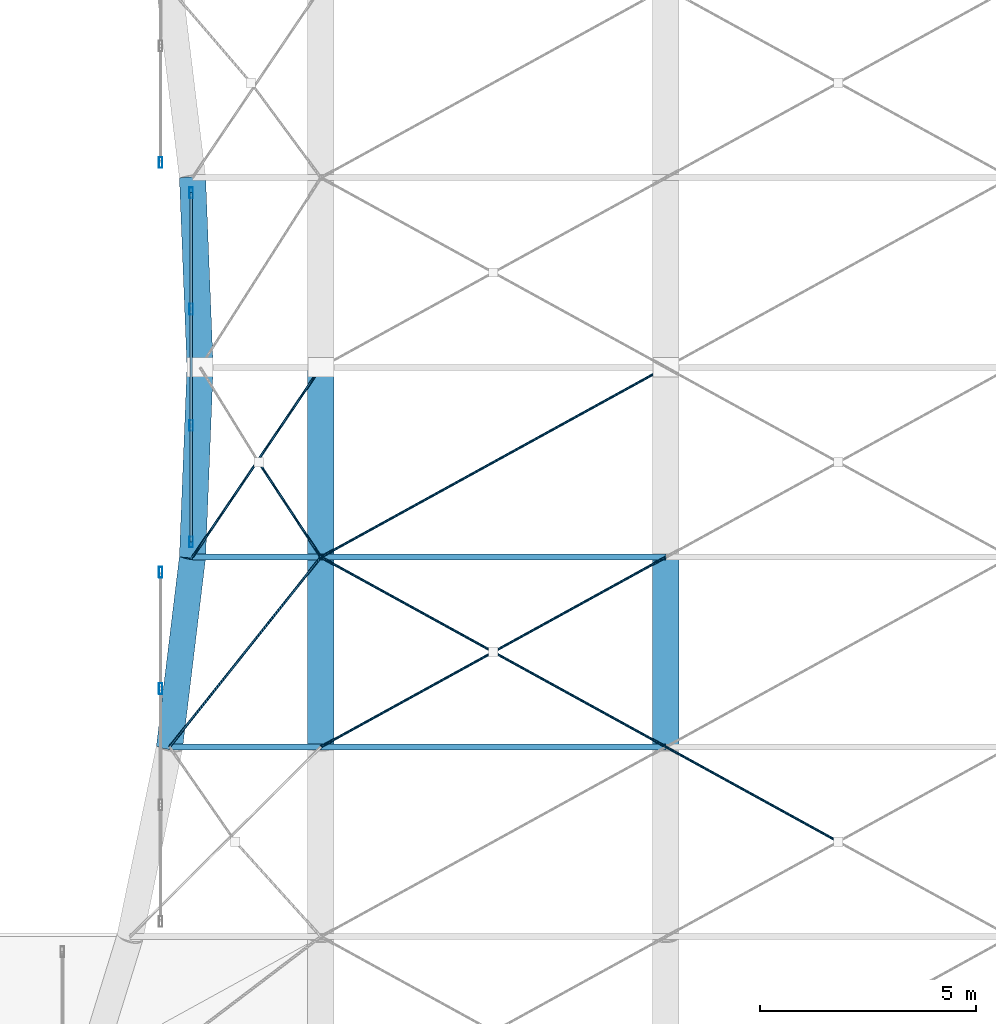
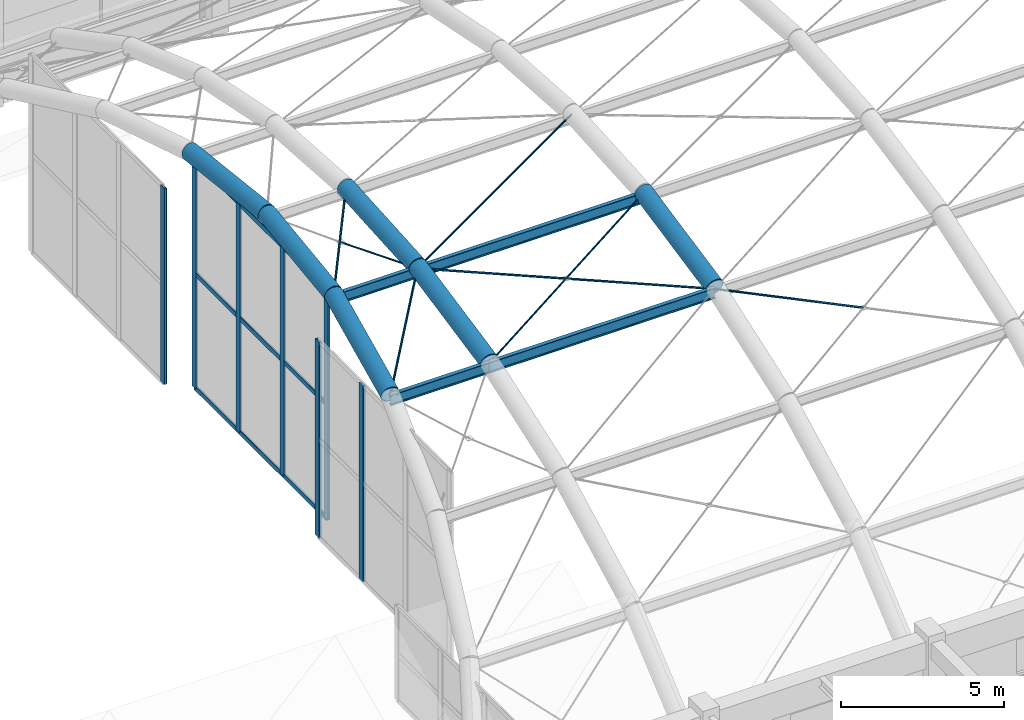
# One storey, part 37 of 126: 18 members, 10 beams, 3 elements without a shape of their own.
"""IFC4 building model written with IfcOpenShell, lengths in metres."""

from ifc_helpers import new_model, si_unit, direction, frame, origin, origin_2d, place, context, subcontext, project, spatial, hollow_rectangle, circle, hollow_circle, i_section, extrude, material, material_profile, profile_set, type_object, element, aggregate, save


model = new_model("IFC4")

# Units and contexts
model_context = context("Model", 3, precision=1e-05, world=origin(), true_north=direction((0.0, 1.0)))
body_context = subcontext(model_context, "Body", "Model", "MODEL_VIEW")
ifc_project = project(units=[si_unit("LENGTHUNIT", "METRE"), si_unit("AREAUNIT", "SQUARE_METRE"), si_unit("VOLUMEUNIT", "CUBIC_METRE"), si_unit("PLANEANGLEUNIT", "RADIAN"), si_unit("MASSUNIT", "GRAM", prefix="KILO")], contexts=[model_context])

# Site, building, storey
site_placement = place(None, origin())
site = spatial("IfcSite", under=ifc_project, at=site_placement, CompositionType="ELEMENT")
building_placement = place(site_placement, origin())
building = spatial("IfcBuilding", under=site, at=building_placement, Name="Varnabhumi Central Station", CompositionType="ELEMENT")
storey_placement = place(building_placement, frame((0.0, 0.0, 16.199951171875)))
storey = spatial("IfcBuildingStorey", under=building, at=storey_placement, Name="L03", CompositionType="ELEMENT", Elevation=16.199951171875)

# Beams
ifc_material_1 = material(Name="Structural steel E450", Category="steel")
ifc_material_profile_1 = material_profile(ifc_material_1, hollow_circle(Radius=0.304931640625, WallThickness=0.02490234375, at=origin_2d()), Name="Structural steel E450", Category="steel")
ifc_profile_set_1 = profile_set([ifc_material_profile_1], Name="Structural steel E450")
beam_type_1 = type_object("IfcBeamType", Name="BM-ARCH-CHS610", PredefinedType="BEAM", material=ifc_profile_set_1)
beam_1_placement = place(storey_placement, frame((132.491455078125, 49.199951171875, 8.950927734375), z_axis=(0.117828495777, 0.972800265411, 0.199439437424), x_axis=(-0.992744345989, 0.120244182838, 0.0)))
element("IfcBeam", 1, at=beam_1_placement, inside=storey, type_object=beam_type_1, Name="Platform Train-Shed Vault Arch Rib 1 Seg 4", PredefinedType="BEAM", context=body_context, shape_type="SweptSolid", body=[
    extrude(hollow_circle(Radius=0.304931640625, WallThickness=0.02490234375, at=origin_2d()), origin(), (0.0, 0.0, 1.0), 4.523193359375),
])
for number, where, z_axis, x_axis, name in (
    (2, (133.0244140625, 53.60009765625, 9.85302734375), (0.039773531736, 0.996938232194, 0.067321819364), (-0.999205116003, 0.039863970614, 0.0), "Platform Train-Shed Vault Arch Rib 1 Seg 5"),
    (3, (133.199951171875, 58.0, 10.150146484375), (-0.039773531736, 0.996938232194, -0.067321819364), (-0.999205116003, -0.039863970614, 0.0), "Platform Train-Shed Vault Arch Rib 1 Seg 6"),
):
    element("IfcBeam", number, at=place(storey_placement, frame(where, z_axis=z_axis, x_axis=x_axis)), inside=storey, type_object=beam_type_1, Name=name, PredefinedType="BEAM", context=body_context, shape_type="SweptSolid", body=[
        extrude(hollow_circle(Radius=0.304931640625, WallThickness=0.02490234375, at=origin_2d()), origin(), (0.0, 0.0, 1.0), 4.413330078125),
    ])
beam_2_placement = place(storey_placement, frame((136.0, 49.199951171875, 8.950927734375), z_axis=(0.0, 0.979624368007, 0.200838486367), x_axis=(-1.0, 0.0, 0.0)))
element("IfcBeam", 4, at=beam_2_placement, inside=storey, type_object=beam_type_1, Name="Platform Train-Shed Vault Arch Rib 2 Seg 4", PredefinedType="BEAM", context=body_context, shape_type="SweptSolid", body=[
    extrude(hollow_circle(Radius=0.304931640625, WallThickness=0.02490234375, at=origin_2d()), origin(), (0.0, 0.0, 1.0), 4.49169921875),
])
beam_3_placement = place(storey_placement, frame((136.0, 53.60009765625, 9.85302734375), z_axis=(0.0, 0.997727714155, 0.067375131957), x_axis=(-1.0, 0.0, 0.0)))
element("IfcBeam", 5, at=beam_3_placement, inside=storey, type_object=beam_type_1, Name="Platform Train-Shed Vault Arch Rib 2 Seg 5", PredefinedType="BEAM", context=body_context, shape_type="SweptSolid", body=[
    extrude(hollow_circle(Radius=0.304931640625, WallThickness=0.02490234375, at=origin_2d()), origin(), (0.0, 0.0, 1.0), 4.409912109375),
])
beam_4_placement = place(storey_placement, frame((144.0, 49.199951171875, 8.950927734375), z_axis=(0.0, 0.979624368007, 0.200838486367), x_axis=(-1.0, 0.0, 0.0)))
element("IfcBeam", 6, at=beam_4_placement, inside=storey, type_object=beam_type_1, Name="Platform Train-Shed Vault Arch Rib 3 Seg 4", PredefinedType="BEAM", context=body_context, shape_type="SweptSolid", body=[
    extrude(hollow_circle(Radius=0.304931640625, WallThickness=0.02490234375, at=origin_2d()), origin(), (0.0, 0.0, 1.0), 4.49169921875),
])
ifc_material_2 = material(Name="Structural steel E350", Category="steel")
ifc_material_profile_2 = material_profile(ifc_material_2, i_section(OverallWidth=0.139892578125, OverallDepth=0.39990234375, WebThickness=0.0087890625, FlangeThickness=0.01611328125, FilletRadius=0.013916015625, at=origin_2d()), Name="Structural steel E350", Category="steel")
ifc_profile_set_2 = profile_set([ifc_material_profile_2], Name="Structural steel E350")
beam_type_2 = type_object("IfcBeamType", Name="BM-PUR-ISMB400", PredefinedType="LINTEL", material=ifc_profile_set_2)
beam_5_placement = place(storey_placement, frame((132.491455078125, 49.199951171875, 8.7509765625), z_axis=(1.0, 0.0, 0.0), x_axis=(0.0, 1.0, 0.0)))
element("IfcBeam", 7, at=beam_5_placement, inside=storey, type_object=beam_type_2, Name="Platform Train-Shed Vault Purlin B1-L3", PredefinedType="LINTEL", context=body_context, shape_type="SweptSolid", body=[
    extrude(i_section(OverallWidth=0.139892578125, OverallDepth=0.39990234375, WebThickness=0.0087890625, FlangeThickness=0.01611328125, FilletRadius=0.013916015625, at=origin_2d()), origin(), (0.0, 0.0, 1.0), 3.508544921875),
])
beam_6_placement = place(storey_placement, frame((133.0244140625, 53.60009765625, 9.65283203125), z_axis=(1.0, 0.0, 0.0), x_axis=(0.0, 1.0, 0.0)))
element("IfcBeam", 8, at=beam_6_placement, inside=storey, type_object=beam_type_2, Name="Platform Train-Shed Vault Purlin B1-L4", PredefinedType="LINTEL", context=body_context, shape_type="SweptSolid", body=[
    extrude(i_section(OverallWidth=0.139892578125, OverallDepth=0.39990234375, WebThickness=0.0087890625, FlangeThickness=0.01611328125, FilletRadius=0.013916015625, at=origin_2d()), origin(), (0.0, 0.0, 1.0), 2.9755859375),
])
for number, where, z_axis, x_axis, name in (
    (9, (136.0, 49.199951171875, 8.7509765625), (1.0, 0.0, 0.0), (0.0, 1.0, 0.0), "Platform Train-Shed Vault Purlin B2-L3"),
    (10, (136.0, 53.60009765625, 9.65283203125), (1.0, 0.0, 0.0), (0.0, 1.0, 0.0), "Platform Train-Shed Vault Purlin B2-L4"),
):
    element("IfcBeam", number, at=place(storey_placement, frame(where, z_axis=z_axis, x_axis=x_axis)), inside=storey, type_object=beam_type_2, Name=name, PredefinedType="LINTEL", context=body_context, shape_type="SweptSolid", body=[
        extrude(i_section(OverallWidth=0.139892578125, OverallDepth=0.39990234375, WebThickness=0.0087890625, FlangeThickness=0.01611328125, FilletRadius=0.013916015625, at=origin_2d()), origin(), (0.0, 0.0, 1.0), 8.0),
    ])

# Curtain wall, members
ifc_material_3 = material(Name="Anodised aluminium 6063-T6", Category="aluminium")
curtain_wall_type = type_object("IfcCurtainWallType", Name="CW-VAULT-ARCH-V5", PredefinedType="NOTDEFINED", material=ifc_material_3)
curtain_wall_1_placement = place(storey_placement, origin())
curtain_wall_1 = element("IfcCurtainWall", 11, at=curtain_wall_1_placement, inside=storey, type_object=curtain_wall_type, Name="Curtain Wall CW-V52", PredefinedType="NOTDEFINED")
ifc_material_profile_3 = material_profile(ifc_material_3, hollow_rectangle(XDim=0.080078125, YDim=0.25, WallThickness=0.0048828125, InnerFilletRadius=0.0009765625, OuterFilletRadius=0.006103515625, at=origin_2d()), Name="Anodised aluminium 6063-T6", Category="aluminium")
ifc_profile_set_3 = profile_set([ifc_material_profile_3], Name="Anodised aluminium 6063-T6")
member_type_1 = type_object("IfcMemberType", Name="CW-MUL-250", PredefinedType="MULLION", material=ifc_profile_set_3)
member_1_placement = place(storey_placement, frame((132.284912109375, 50.550048828125, 1.25), z_axis=(0.0, 0.0, 1.0), x_axis=(1.0, 0.0, 0.0)))
member_1 = element("IfcMember", 12, at=member_1_placement, type_object=member_type_1, Name="Curtain Wall Mullion CW-V52-M3", PredefinedType="MULLION", context=body_context, shape_type="SweptSolid", body=[
    extrude(hollow_rectangle(XDim=0.080078125, YDim=0.25, WallThickness=0.0048828125, InnerFilletRadius=0.0009765625, OuterFilletRadius=0.006103515625, at=origin_2d()), origin(), (0.0, 0.0, 1.0), 7.350830078125),
])
member_2_placement = place(storey_placement, frame((132.284912109375, 53.25, 1.25), z_axis=(0.0, 0.0, 1.0), x_axis=(1.0, 0.0, 0.0)))
member_2 = element("IfcMember", 13, at=member_2_placement, type_object=member_type_1, Name="Curtain Wall Mullion CW-V52-M4", PredefinedType="MULLION", context=body_context, shape_type="SweptSolid", body=[
    extrude(hollow_rectangle(XDim=0.080078125, YDim=0.25, WallThickness=0.0048828125, InnerFilletRadius=0.0009765625, OuterFilletRadius=0.006103515625, at=origin_2d()), origin(), (0.0, 0.0, 1.0), 7.350830078125),
])
aggregate(curtain_wall_1, [member_1, member_2])

curtain_wall_2_placement = place(storey_placement, origin())
curtain_wall_2 = element("IfcCurtainWall", 14, at=curtain_wall_2_placement, inside=storey, type_object=curtain_wall_type, Name="Curtain Wall CW-V53", PredefinedType="NOTDEFINED")
member_3_placement = place(storey_placement, frame((132.992919921875, 53.949951171875, 1.25), z_axis=(0.0, 0.0, 1.0), x_axis=(1.0, 0.0, 0.0)))
member_3 = element("IfcMember", 15, at=member_3_placement, type_object=member_type_1, Name="Curtain Wall Mullion CW-V53-M1", PredefinedType="MULLION", context=body_context, shape_type="SweptSolid", body=[
    extrude(hollow_rectangle(XDim=0.080078125, YDim=0.25, WallThickness=0.0048828125, InnerFilletRadius=0.0009765625, OuterFilletRadius=0.006103515625, at=origin_2d()), origin(), (0.0, 0.0, 1.0), 8.550048828125),
])
member_4_placement = place(storey_placement, frame((132.992919921875, 56.64990234375, 1.25), z_axis=(0.0, 0.0, 1.0), x_axis=(1.0, 0.0, 0.0)))
member_4 = element("IfcMember", 16, at=member_4_placement, type_object=member_type_1, Name="Curtain Wall Mullion CW-V53-M2", PredefinedType="MULLION", context=body_context, shape_type="SweptSolid", body=[
    extrude(hollow_rectangle(XDim=0.080078125, YDim=0.25, WallThickness=0.0048828125, InnerFilletRadius=0.0009765625, OuterFilletRadius=0.006103515625, at=origin_2d()), origin(), (0.0, 0.0, 1.0), 8.550048828125),
])
member_5_placement = place(storey_placement, frame((132.992919921875, 59.35009765625, 1.25), z_axis=(0.0, 0.0, 1.0), x_axis=(1.0, 0.0, 0.0)))
member_5 = element("IfcMember", 17, at=member_5_placement, type_object=member_type_1, Name="Curtain Wall Mullion CW-V53-M3", PredefinedType="MULLION", context=body_context, shape_type="SweptSolid", body=[
    extrude(hollow_rectangle(XDim=0.080078125, YDim=0.25, WallThickness=0.0048828125, InnerFilletRadius=0.0009765625, OuterFilletRadius=0.006103515625, at=origin_2d()), origin(), (0.0, 0.0, 1.0), 8.550048828125),
])
member_6_placement = place(storey_placement, frame((132.992919921875, 62.050048828125, 1.25), z_axis=(0.0, 0.0, 1.0), x_axis=(1.0, 0.0, 0.0)))
member_6 = element("IfcMember", 18, at=member_6_placement, type_object=member_type_1, Name="Curtain Wall Mullion CW-V53-M4", PredefinedType="MULLION", context=body_context, shape_type="SweptSolid", body=[
    extrude(hollow_rectangle(XDim=0.080078125, YDim=0.25, WallThickness=0.0048828125, InnerFilletRadius=0.0009765625, OuterFilletRadius=0.006103515625, at=origin_2d()), origin(), (0.0, 0.0, 1.0), 8.550048828125),
])

# Curtain wall, member
curtain_wall_3_placement = place(storey_placement, origin())
curtain_wall_3 = element("IfcCurtainWall", 19, at=curtain_wall_3_placement, inside=storey, type_object=curtain_wall_type, Name="Curtain Wall CW-V54", PredefinedType="NOTDEFINED")
member_7_placement = place(storey_placement, frame((132.284912109375, 62.75, 1.25), z_axis=(0.0, 0.0, 1.0), x_axis=(1.0, 0.0, 0.0)))
member_7 = element("IfcMember", 20, at=member_7_placement, type_object=member_type_1, Name="Curtain Wall Mullion CW-V54-M1", PredefinedType="MULLION", context=body_context, shape_type="SweptSolid", body=[
    extrude(hollow_rectangle(XDim=0.080078125, YDim=0.25, WallThickness=0.0048828125, InnerFilletRadius=0.0009765625, OuterFilletRadius=0.006103515625, at=origin_2d()), origin(), (0.0, 0.0, 1.0), 7.350830078125),
])
aggregate(curtain_wall_3, [member_7])

# Member
ifc_material_profile_4 = material_profile(ifc_material_3, hollow_rectangle(XDim=0.06494140625, YDim=0.179931640625, WallThickness=0.00390625, InnerFilletRadius=0.001953125, OuterFilletRadius=0.006103515625, at=origin_2d()), Name="Anodised aluminium 6063-T6", Category="aluminium")
ifc_profile_set_4 = profile_set([ifc_material_profile_4], Name="Anodised aluminium 6063-T6")
member_type_2 = type_object("IfcMemberType", Name="CW-TR-180", PredefinedType="USERDEFINED", material=ifc_profile_set_4)
member_8_placement = place(storey_placement, frame((132.992919921875, 53.949951171875, 1.25), z_axis=(0.0, 1.0, 0.0), x_axis=(-1.0, 0.0, 0.0)))
member_8 = element("IfcMember", 21, at=member_8_placement, type_object=member_type_2, Name="Curtain Wall Transom CW-V53-T1", ObjectType="TRANSOM", PredefinedType="USERDEFINED", context=body_context, shape_type="SweptSolid", body=[
    extrude(hollow_rectangle(XDim=0.06494140625, YDim=0.179931640625, WallThickness=0.00390625, InnerFilletRadius=0.001953125, OuterFilletRadius=0.006103515625, at=origin_2d()), origin(), (0.0, 0.0, 1.0), 8.10009765625),
])

member_9_placement = place(storey_placement, frame((132.992919921875, 53.949951171875, 5.525146484375), z_axis=(0.0, 1.0, 0.0), x_axis=(-1.0, 0.0, 0.0)))
member_9 = element("IfcMember", 22, at=member_9_placement, type_object=member_type_2, Name="Curtain Wall Transom CW-V53-T2", ObjectType="TRANSOM", PredefinedType="USERDEFINED", context=body_context, shape_type="SweptSolid", body=[
    extrude(hollow_rectangle(XDim=0.06494140625, YDim=0.179931640625, WallThickness=0.00390625, InnerFilletRadius=0.001953125, OuterFilletRadius=0.006103515625, at=origin_2d()), origin(), (0.0, 0.0, 1.0), 8.10009765625),
])

member_10_placement = place(storey_placement, frame((132.992919921875, 53.949951171875, 9.800048828125), z_axis=(0.0, 1.0, 0.0), x_axis=(-1.0, 0.0, 0.0)))
member_10 = element("IfcMember", 23, at=member_10_placement, type_object=member_type_2, Name="Curtain Wall Transom CW-V53-T3", ObjectType="TRANSOM", PredefinedType="USERDEFINED", context=body_context, shape_type="SweptSolid", body=[
    extrude(hollow_rectangle(XDim=0.06494140625, YDim=0.179931640625, WallThickness=0.00390625, InnerFilletRadius=0.001953125, OuterFilletRadius=0.006103515625, at=origin_2d()), origin(), (0.0, 0.0, 1.0), 8.10009765625),
])

aggregate(curtain_wall_2, [member_3, member_4, member_5, member_6, member_8, member_9, member_10])

# Members
ifc_material_4 = material(Name="Spiral-strand steel S1570", Category="steel")
ifc_material_profile_5 = material_profile(ifc_material_4, circle(Radius=0.030029296875, at=origin_2d()), Name="Spiral-strand steel S1570", Category="steel")
ifc_profile_set_5 = profile_set([ifc_material_profile_5], Name="Spiral-strand steel S1570")
member_type_3 = type_object("IfcMemberType", Name="MBR-CABLE-D60", PredefinedType="USERDEFINED", material=ifc_profile_set_5)
member_11_placement = place(storey_placement, frame((132.491455078125, 49.199951171875, 8.870849609375), z_axis=(0.615581942195, 0.772015402142, 0.158275365417), x_axis=(-0.78187087555, 0.623440401295, 0.0)))
element("IfcMember", 24, at=member_11_placement, inside=storey, type_object=member_type_3, Name="Platform Train-Shed Vault Cable-Net Tie B1-P4A", ObjectType="TENSION CABLE", PredefinedType="USERDEFINED", context=body_context, shape_type="SweptSolid", body=[
    extrude(circle(Radius=0.030029296875, at=origin_2d()), origin(), (0.0, 0.0, 1.0), 5.699462890625),
])
member_12_placement = place(storey_placement, frame((133.0244140625, 53.60009765625, 9.77294921875), z_axis=(0.559329241095, 0.827061994011, 0.055850318872), x_axis=(-0.828354929468, 0.560203633357, 0.0)))
element("IfcMember", 25, at=member_12_placement, inside=storey, type_object=member_type_3, Name="Platform Train-Shed Vault Cable-Net Tie B1-P5A", ObjectType="TENSION CABLE", PredefinedType="USERDEFINED", context=body_context, shape_type="SweptSolid", body=[
    extrude(circle(Radius=0.030029296875, at=origin_2d()), origin(), (0.0, 0.0, 1.0), 5.31982421875),
])
member_13_placement = place(storey_placement, frame((134.55615234375, 55.800048828125, 9.92138671875), z_axis=(0.547820003412, -0.834698351496, -0.056319675697), x_axis=(0.836025301353, 0.548690892487, 0.0)))
element("IfcMember", 26, at=member_13_placement, inside=storey, type_object=member_type_3, Name="Platform Train-Shed Vault Cable-Net Split Tie B1-P5B2", ObjectType="TENSION CABLE", PredefinedType="USERDEFINED", context=body_context, shape_type="SweptSolid", body=[
    extrude(circle(Radius=0.030029296875, at=origin_2d()), origin(), (0.0, 0.0, 1.0), 2.6357421875),
])
member_14_placement = place(storey_placement, frame((136.0, 49.199951171875, 8.870849609375), z_axis=(0.871963360953, 0.47959581465, 0.098324725913), x_axis=(-0.481931067474, 0.876209133828, 0.0)))
element("IfcMember", 27, at=member_14_placement, inside=storey, type_object=member_type_3, Name="Platform Train-Shed Vault Cable-Net Tie B2-P4A", ObjectType="TENSION CABLE", PredefinedType="USERDEFINED", context=body_context, shape_type="SweptSolid", body=[
    extrude(circle(Radius=0.030029296875, at=origin_2d()), origin(), (0.0, 0.0, 1.0), 9.1748046875),
])
for number, where, z_axis, x_axis, name in (
    (28, (136.0, 53.60009765625, 9.77294921875), (0.871954513788, -0.479617558487, -0.098297118345), (0.481951596342, 0.876197842262, 0.0), "Platform Train-Shed Vault Cable-Net Split Tie B2-P4B1"),
    (29, (140.0, 51.39990234375, 9.322021484375), (0.871972207152, -0.479574069742, -0.098352333912), (0.481910537812, 0.876220425204, 0.0), "Platform Train-Shed Vault Cable-Net Split Tie B2-P4B2"),
):
    element("IfcMember", number, at=place(storey_placement, frame(where, z_axis=z_axis, x_axis=x_axis)), inside=storey, type_object=member_type_3, Name=name, ObjectType="TENSION CABLE", PredefinedType="USERDEFINED", context=body_context, shape_type="SweptSolid", body=[
        extrude(circle(Radius=0.030029296875, at=origin_2d()), origin(), (0.0, 0.0, 1.0), 4.58740234375),
    ])
member_15_placement = place(storey_placement, frame((136.0, 53.60009765625, 9.77294921875), z_axis=(0.875756821788, 0.481655561592, 0.032525514286), x_axis=(-0.481910537812, 0.876220425204, 0.0)))
element("IfcMember", 30, at=member_15_placement, inside=storey, type_object=member_type_3, Name="Platform Train-Shed Vault Cable-Net Tie B2-P5A", ObjectType="TENSION CABLE", PredefinedType="USERDEFINED", context=body_context, shape_type="SweptSolid", body=[
    extrude(circle(Radius=0.030029296875, at=origin_2d()), origin(), (0.0, 0.0, 1.0), 9.135009765625),
])
member_16_placement = place(storey_placement, frame((144.0, 49.199951171875, 8.870849609375), z_axis=(0.863908907652, -0.475139353446, -0.167044886441), x_axis=(0.481910537812, 0.876220425204, 0.0)))
element("IfcMember", 31, at=member_16_placement, inside=storey, type_object=member_type_3, Name="Platform Train-Shed Vault Cable-Net Split Tie B3-P3B1", ObjectType="TENSION CABLE", PredefinedType="USERDEFINED", context=body_context, shape_type="SweptSolid", body=[
    extrude(circle(Radius=0.030029296875, at=origin_2d()), origin(), (0.0, 0.0, 1.0), 4.630126953125),
])

save(model, "model.ifc")
